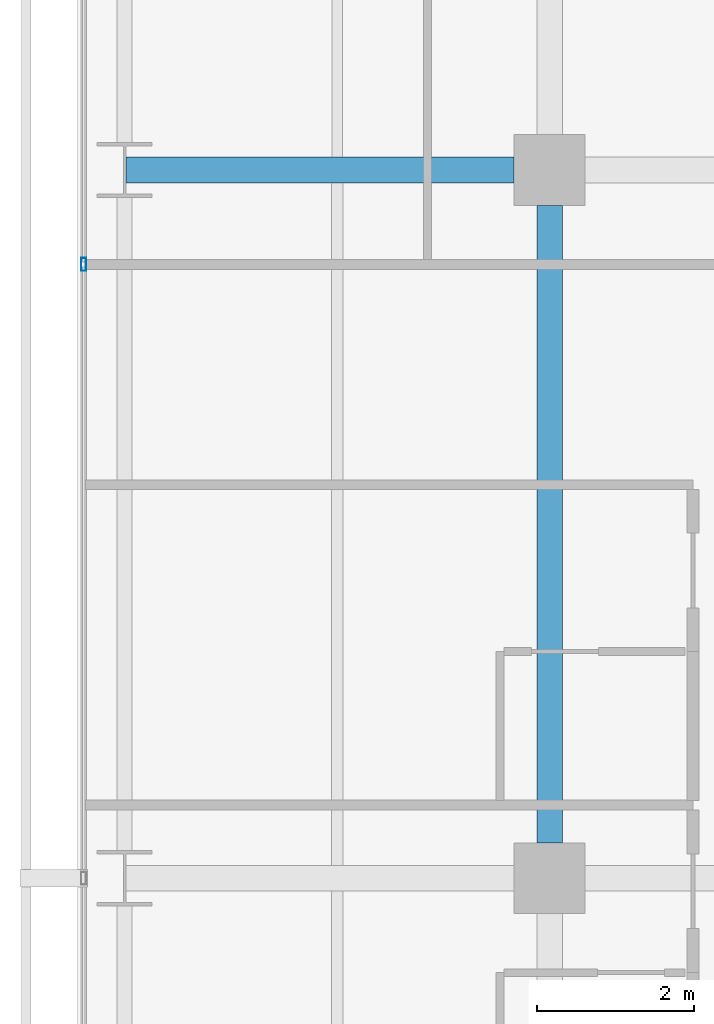
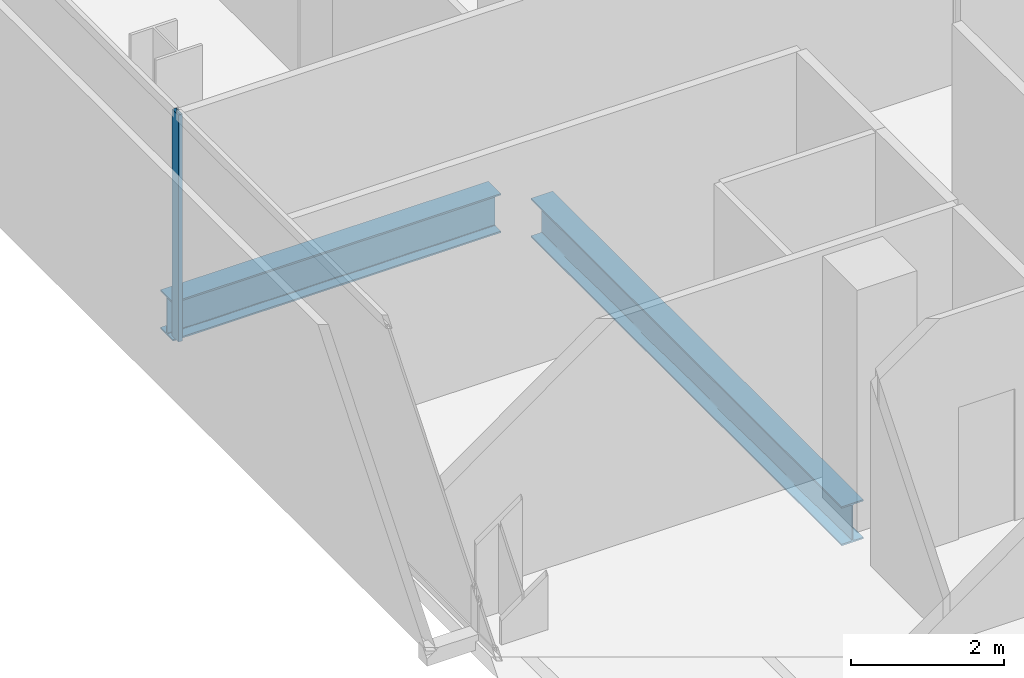
# One storey, part 21 of 41: 2 beams, 1 member, 1 element without a shape of its own.
"""IFC4 building model written with IfcOpenShell, lengths in metres."""

from ifc_helpers import new_model, si_unit, direction, frame, origin, origin_2d, place, context, subcontext, project, spatial, hollow_rectangle, i_section, extrude, material, layer, layer_set, material_profile, profile_set, type_object, element, aggregate, save


model = new_model("IFC4")

# Units and contexts
model_context = context("Model", 3, precision=1e-05, world=origin(), true_north=direction((0.0, 1.0)))
body_context = subcontext(model_context, "Body", "Model", "MODEL_VIEW")
ifc_project = project(units=[si_unit("LENGTHUNIT", "METRE"), si_unit("AREAUNIT", "SQUARE_METRE"), si_unit("VOLUMEUNIT", "CUBIC_METRE"), si_unit("PLANEANGLEUNIT", "RADIAN"), si_unit("MASSUNIT", "GRAM", prefix="KILO")], contexts=[model_context])

# Site, building, storey
site_placement = place(None, origin())
site = spatial("IfcSite", under=ifc_project, at=site_placement, CompositionType="ELEMENT")
building_placement = place(site_placement, origin())
building = spatial("IfcBuilding", under=site, at=building_placement, Name="Maruvema Waterfront Hotel and Observation Tower", CompositionType="ELEMENT")
storey_placement = place(building_placement, frame((0.0, 0.0, 61.60009765625)))
storey = spatial("IfcBuildingStorey", under=building, at=storey_placement, Name="L14", CompositionType="ELEMENT", Elevation=61.60009765625)

# Curtain wall, member
ifc_material_1 = material(Name="Anodised bronze aluminium and solar-control low-E IGU", Category="aluminium")
ifc_layer = layer(ifc_material_1, 0.159912109375, Name="Zone 1 Bronze Inner Thermal Curtain Wall System CW-02")
ifc_layer_set = layer_set([ifc_layer], Name="Anodised bronze aluminium and solar-control low-E IGU")
curtain_wall_type = type_object("IfcCurtainWallType", Name="Zone 1 Bronze Inner Thermal Curtain Wall System CW-02", PredefinedType="USERDEFINED", material=ifc_layer_set)
curtain_wall_placement = place(storey_placement, origin())
curtain_wall = element("IfcCurtainWall", 1, at=curtain_wall_placement, inside=storey, type_object=curtain_wall_type, Name="L14 Curtain Wall CW-L14-W", ObjectType="UNITISED CURTAIN WALL", PredefinedType="USERDEFINED")
ifc_material_2 = material(Name="Anodised architectural bronze aluminium", Category="aluminium")
ifc_material_profile_1 = material_profile(ifc_material_2, hollow_rectangle(XDim=0.06494140625, YDim=0.1650390625, WallThickness=0.00390625, at=origin_2d()), Name="ALU-M65x165")
ifc_profile_set_1 = profile_set([ifc_material_profile_1], Name="Anodised architectural bronze aluminium")
member_type = type_object("IfcMemberType", Name="Curtain Wall Primary Mullion ALU-M65x165", PredefinedType="MULLION", material=ifc_profile_set_1)
member_placement = place(storey_placement, frame((10.8798828125, 34.800048828125, 0.0), z_axis=(0.0, 0.0, 1.0), x_axis=(1.0, 0.0, 0.0)))
member = element("IfcMember", 2, at=member_placement, type_object=member_type, Name="CW-02 mullion 3", PredefinedType="MULLION", context=body_context, shape_type="SweptSolid", body=[
    extrude(hollow_rectangle(XDim=0.06494140625, YDim=0.1650390625, WallThickness=0.00390625, at=origin_2d()), origin(), (0.0, 0.0, 1.0), 3.60986328125),
])
aggregate(curtain_wall, [member])

# Beams
ifc_material_3 = material(Name="Steel ASTM A572 Grade 50", Category="steel")
ifc_material_profile_2 = material_profile(ifc_material_3, i_section(OverallWidth=0.326904296875, OverallDepth=0.6220703125, WebThickness=0.015380859375, FlangeThickness=0.0244140625, FilletRadius=0.01806640625, at=origin_2d()), Name="W610x195.0")
ifc_profile_set_2 = profile_set([ifc_material_profile_2], Name="Steel ASTM A572 Grade 50")
beam_type = type_object("IfcBeamType", Name="Primary Floor Girder W610x195.0", PredefinedType="BEAM", material=ifc_profile_set_2)
beam_1_placement = place(storey_placement, frame((11.4140625, 36.0, -0.551025390625), z_axis=(1.0, 0.0, 0.0), x_axis=(0.0, 1.0, 0.0)))
element("IfcBeam", 3, at=beam_1_placement, inside=storey, type_object=beam_type, Name="L14 Floor Girder EW-25", PredefinedType="BEAM", context=body_context, shape_type="SweptSolid", body=[
    extrude(i_section(OverallWidth=0.326904296875, OverallDepth=0.6220703125, WebThickness=0.015380859375, FlangeThickness=0.0244140625, FilletRadius=0.01806640625, at=origin_2d()), origin(), (0.0, 0.0, 1.0), 4.93603515625),
])
beam_2_placement = place(storey_placement, frame((16.800048828125, 27.449951171875, -0.551025390625), z_axis=(0.0, 1.0, 0.0), x_axis=(-1.0, 0.0, 0.0)))
element("IfcBeam", 4, at=beam_2_placement, inside=storey, type_object=beam_type, Name="L14 Floor Girder NS-08", PredefinedType="BEAM", context=body_context, shape_type="SweptSolid", body=[
    extrude(i_section(OverallWidth=0.326904296875, OverallDepth=0.6220703125, WebThickness=0.015380859375, FlangeThickness=0.0244140625, FilletRadius=0.01806640625, at=origin_2d()), origin(), (0.0, 0.0, 1.0), 8.10009765625),
])

save(model, "model.ifc")
